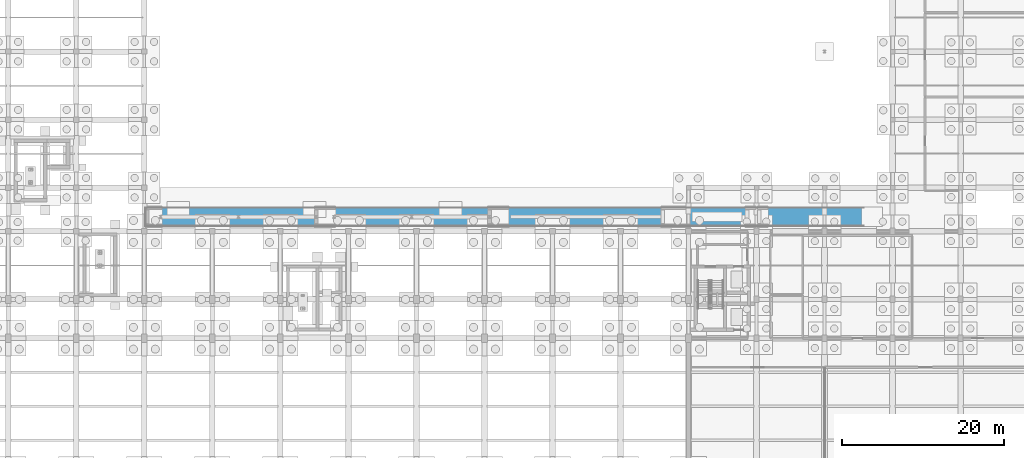
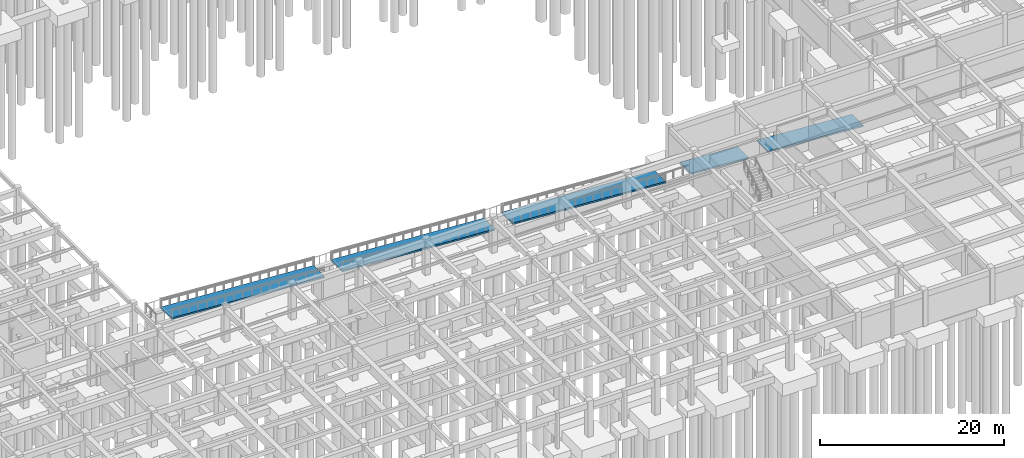
# One storey, part 43 of 49: 5 ramp flights, 1 element without a shape of its own.
"""IFC4 building model written with IfcOpenShell, lengths in metres."""

import ifcopenshell
import ifcopenshell.guid

model = None  # the IFC model being written
_history = None  # IfcOwnerHistory: only IFC2X3 demands one
_inside = {}  # id of a spatial element -> (the spatial element, [elements in it])
_under = {}  # id of a project, library or spatial element -> (it, [spatial elements below it])
_declared = {}  # id of a project -> (the project, [libraries it declares])
_typed = {}  # id of a type object -> (the type object, [elements of that type])
_made_of = {}  # id of a material, layer set ... -> (it, [elements and type objects made of it])


def new_model(schema):
    """Start an empty IFC model of exactly this schema.

    Asked for "IFC4X3", IfcOpenShell would pick the latest addendum, in which some entities
    have other attributes; the version numbers below select the first issue.
    IFC2X3 requires an IfcOwnerHistory on every rooted entity: one is made here for all.
    """
    global model, _history
    if schema == "IFC4X3":
        model = ifcopenshell.file(schema_version=(4, 3, 0, 0))
    else:
        model = ifcopenshell.file(schema=schema)
    _inside.clear()
    _under.clear()
    _declared.clear()
    _typed.clear()
    _made_of.clear()
    _history = None
    if model.schema == "IFC2X3":
        org = make("IfcOrganization", Name="unknown")
        user = make(
            "IfcPersonAndOrganization",
            ThePerson=make("IfcPerson", FamilyName="unknown"),
            TheOrganization=org,
        )
        app = make(
            "IfcApplication",
            ApplicationDeveloper=org,
            Version="unknown",
            ApplicationFullName="unknown",
            ApplicationIdentifier="unknown",
        )
        _history = make(
            "IfcOwnerHistory",
            OwningUser=user,
            OwningApplication=app,
            ChangeAction="ADDED",
            CreationDate=0,
        )
    return model


def make(cls, **values):
    """One entity of the class cls with the attributes given. An attribute that is None is left unset."""
    return model.create_entity(
        cls, **{name: value for name, value in values.items() if value is not None}
    )


def rooted(cls, **values):
    """An entity with a GlobalId (a new one), such as an element, a storey or a relation."""
    return make(cls, GlobalId=ifcopenshell.guid.new(), OwnerHistory=_history, **values)


def si_unit(unit_type, name, prefix=None):
    """IfcSIUnit, for example si_unit("LENGTHUNIT", "METRE", prefix="MILLI")."""
    return make("IfcSIUnit", UnitType=unit_type, Prefix=prefix, Name=name)


def assignment(units):
    """IfcUnitAssignment: the units of a project."""
    return None if units is None else make("IfcUnitAssignment", Units=units)


def point(xyz):
    """IfcCartesianPoint."""
    return None if xyz is None else make("IfcCartesianPoint", Coordinates=xyz)


def direction(xyz):
    """IfcDirection."""
    return None if xyz is None else make("IfcDirection", DirectionRatios=xyz)


def frame(location, z_axis=None, x_axis=None):
    """IfcAxis2Placement3D, a coordinate frame: its origin and axes. An axis left out is left unset."""
    return make(
        "IfcAxis2Placement3D",
        Location=point(location),
        Axis=direction(z_axis),
        RefDirection=direction(x_axis),
    )


def origin():
    """The frame at (0, 0, 0) with its axes left unset."""
    return frame((0.0, 0.0, 0.0))


def place(relative_to, where):
    """IfcLocalPlacement: puts the frame where relative to a parent placement (None: the world)."""
    return make(
        "IfcLocalPlacement", PlacementRelTo=relative_to, RelativePlacement=where
    )


def context(
    kind, dimensions, precision=None, world=None, true_north=None, identifier=None
):
    """IfcGeometricRepresentationContext, for example the 3D "Model" context."""
    return make(
        "IfcGeometricRepresentationContext",
        ContextIdentifier=identifier,
        ContextType=kind,
        CoordinateSpaceDimension=dimensions,
        Precision=precision,
        WorldCoordinateSystem=world,
        TrueNorth=true_north,
    )


def subcontext(parent, identifier, kind, view, scale=None):
    """IfcGeometricRepresentationSubContext, for example "Body" below "Model"."""
    return make(
        "IfcGeometricRepresentationSubContext",
        ContextIdentifier=identifier,
        ContextType=kind,
        ParentContext=parent,
        TargetScale=scale,
        TargetView=view,
    )


def project(units=None, contexts=None):
    """IfcProject with its units and contexts."""
    return rooted(
        "IfcProject",
        Name="project",
        RepresentationContexts=contexts,
        UnitsInContext=assignment(units),
    )


def spatial(cls, under=None, at=None, **own):
    """A site, building, storey or space (cls), placed at a placement, below another one or the project."""
    s = rooted(cls, ObjectPlacement=at, **own)
    if under is not None:
        _under.setdefault(under.id(), (under, []))[1].append(s)
    return s


def polyline(points):
    """IfcPolyline through the points."""
    return make("IfcPolyline", Points=[point(p) for p in points])


def outline(outer, holes=None, kind="AREA"):
    """IfcArbitraryClosedProfileDef: a profile drawn as a closed curve; with holes, ...WithVoids."""
    if holes is None:
        return make("IfcArbitraryClosedProfileDef", ProfileType=kind, OuterCurve=outer)
    return make(
        "IfcArbitraryProfileDefWithVoids",
        ProfileType=kind,
        OuterCurve=outer,
        InnerCurves=holes,
    )


def extrude(swept, where, along, depth):
    """IfcExtrudedAreaSolid: the profile swept, set in the frame where, extruded along a direction by depth."""
    return make(
        "IfcExtrudedAreaSolid",
        SweptArea=swept,
        Position=where,
        ExtrudedDirection=direction(along),
        Depth=depth,
    )


def shape(context_of_items, identifier, shape_type, items):
    """IfcShapeRepresentation: the items that make up one representation, for example the "Body"."""
    return make(
        "IfcShapeRepresentation",
        ContextOfItems=context_of_items,
        RepresentationIdentifier=identifier,
        RepresentationType=shape_type,
        Items=items,
    )


def material(Name=None, Category=None):
    """IfcMaterial."""
    return make("IfcMaterial", Name=Name, Category=Category)


def made_of(thing, what):
    """Note that an element or type object is made of a material, layer set ...; save() writes the relation."""
    if what is not None:
        _made_of.setdefault(what.id(), (what, []))[1].append(thing)
    return thing


def element(
    cls,
    number,
    at=None,
    inside=None,
    cuts=None,
    type_object=None,
    material=None,
    context=None,
    identifier="Body",
    shape_type=None,
    held_by="IfcProductDefinitionShape",
    body=None,
    shapes=None,
    **own,
):
    """One element of the class cls, such as IfcWall. Its Tag is "e" and its number.

    at: its placement. inside: the storey or other place that contains it. cuts: it is an
    opening in that element (IfcRelVoidsElement). A single representation is given by context,
    identifier, shape_type and body (its items); several are given by shapes. held_by: the class
    of the entity that holds the representations. save() writes the other relations.
    """
    e = rooted(cls, Tag="e%d" % number, ObjectPlacement=at, **own)
    if body is not None:
        shapes = [shape(context, identifier, shape_type, body)]
    if shapes is not None:
        e.Representation = make(held_by, Representations=shapes)
    if inside is not None:
        _inside.setdefault(inside.id(), (inside, []))[1].append(e)
    if cuts is not None:
        rooted(
            "IfcRelVoidsElement", RelatingBuildingElement=cuts, RelatedOpeningElement=e
        )
    if type_object is not None:
        _typed.setdefault(type_object.id(), (type_object, []))[1].append(e)
    return made_of(e, material)


def aggregate(whole, parts):
    """IfcRelAggregates: a whole, such as a stair, and the parts it consists of."""
    return rooted("IfcRelAggregates", RelatingObject=whole, RelatedObjects=parts)


def save(model, path):
    """Write the relations noted so far, then the file.

    IfcRelAggregates (storeys below a building ...), IfcRelContainedInSpatialStructure (elements
    in a storey), IfcRelDefinesByType, IfcRelAssociatesMaterial and IfcRelDeclares: one each for
    every whole, place, type object, material and project.
    """
    for whole, parts in _under.values():
        aggregate(whole, parts)
    for where, things in _inside.values():
        rooted(
            "IfcRelContainedInSpatialStructure",
            RelatedElements=things,
            RelatingStructure=where,
        )
    for kind, things in _typed.values():
        rooted("IfcRelDefinesByType", RelatedObjects=things, RelatingType=kind)
    for what, things in _made_of.values():
        rooted("IfcRelAssociatesMaterial", RelatedObjects=things, RelatingMaterial=what)
    for by, libraries in _declared.values():
        rooted("IfcRelDeclares", RelatingContext=by, RelatedDefinitions=libraries)
    model.write(path)


model = new_model("IFC4")

# Units and contexts
model_context = context("Model", 3, precision=1e-05, world=origin(), true_north=direction((0.0, 1.0)))
body_context = subcontext(model_context, "Body", "Model", "MODEL_VIEW")
ifc_project = project(units=[si_unit("LENGTHUNIT", "METRE"), si_unit("AREAUNIT", "SQUARE_METRE"), si_unit("VOLUMEUNIT", "CUBIC_METRE"), si_unit("PLANEANGLEUNIT", "RADIAN"), si_unit("MASSUNIT", "GRAM", prefix="KILO")], contexts=[model_context])

# Site, building, storey
site_placement = place(None, origin())
site = spatial("IfcSite", under=ifc_project, at=site_placement, CompositionType="ELEMENT")
building_placement = place(site_placement, origin())
building = spatial("IfcBuilding", under=site, at=building_placement, Name="Krzemoval Escarpment Law Courts", CompositionType="ELEMENT")
storey_placement = place(building_placement, frame((0.0, 0.0, -4.800048828125)))
storey = spatial("IfcBuildingStorey", under=building, at=storey_placement, Name="B1", CompositionType="ELEMENT", Elevation=-4.800048828125)

# Ramp, ramp flights
ramp_placement = place(storey_placement, frame((0.0, 0.0, 4.800048828125)))
ramp = element("IfcRamp", 1, at=ramp_placement, inside=storey, Name="Covered Escarpment Public Accessible Ramp RMP-01", PredefinedType="STRAIGHT_RUN_RAMP")
ifc_material = material(Name="Concrete C35/45", Category="concrete")
ramp_flight_1_placement = place(ramp_placement, origin())
ramp_flight_1 = element("IfcRampFlight", 2, at=ramp_flight_1_placement, material=ifc_material, Name="Ramp Flight RMP-01-F1", PredefinedType="STRAIGHT", context=body_context, shape_type="SweptSolid", body=[
    extrude(outline(polyline([(0.0, 0.0), (19.199951171875, -1.199951171875), (19.199951171875, -1.419921875), (0.0, -0.219970703125), (0.0, 0.0)])), frame((44.0, 38.39990234375, 0.0), z_axis=(0.0, -1.0, 0.0), x_axis=(1.0, 0.0, 0.0)), (0.0, 0.0, 1.0), 2.39990234375),
])
ramp_flight_2_placement = place(ramp_placement, origin())
ramp_flight_2 = element("IfcRampFlight", 3, at=ramp_flight_2_placement, material=ifc_material, Name="Ramp Flight RMP-01-F2", PredefinedType="STRAIGHT", context=body_context, shape_type="SweptSolid", body=[
    extrude(outline(polyline([(0.0, -1.199951171875), (19.199951171875, -2.39990234375), (19.199951171875, -2.6201171875), (0.0, -1.419921875), (0.0, -1.199951171875)])), frame((65.39990234375, 38.39990234375, 0.0), z_axis=(0.0, -1.0, 0.0), x_axis=(1.0, 0.0, 0.0)), (0.0, 0.0, 1.0), 2.39990234375),
])
ramp_flight_3_placement = place(ramp_placement, origin())
ramp_flight_3 = element("IfcRampFlight", 4, at=ramp_flight_3_placement, material=ifc_material, Name="Ramp Flight RMP-01-F3", PredefinedType="STRAIGHT", context=body_context, shape_type="SweptSolid", body=[
    extrude(outline(polyline([(0.0, -2.39990234375), (19.199951171875, -3.60009765625), (19.199951171875, -3.820068359375), (0.0, -2.6201171875), (0.0, -2.39990234375)])), frame((86.800048828125, 38.39990234375, 0.0), z_axis=(0.0, -1.0, 0.0), x_axis=(1.0, 0.0, 0.0)), (0.0, 0.0, 1.0), 2.39990234375),
])
ramp_flight_4_placement = place(ramp_placement, origin())
ramp_flight_4 = element("IfcRampFlight", 5, at=ramp_flight_4_placement, material=ifc_material, Name="Ramp Flight RMP-01-F4", PredefinedType="STRAIGHT", context=body_context, shape_type="SweptSolid", body=[
    extrude(outline(polyline([(0.0, -3.60009765625), (7.199951171875, -4.050048828125), (7.199951171875, -4.27001953125), (0.0, -3.820068359375), (0.0, -3.60009765625)])), frame((109.199951171875, 38.39990234375, 0.0), z_axis=(0.0, -1.0, 0.0), x_axis=(1.0, 0.0, 0.0)), (0.0, 0.0, 1.0), 2.39990234375),
])
ramp_flight_5_placement = place(ramp_placement, origin())
ramp_flight_5 = element("IfcRampFlight", 6, at=ramp_flight_5_placement, material=ifc_material, Name="Ramp Flight RMP-01-F5", PredefinedType="STRAIGHT", context=body_context, shape_type="SweptSolid", body=[
    extrude(outline(polyline([(0.0, -4.050048828125), (12.0, -4.800048828125), (12.0, -5.02001953125), (0.0, -4.27001953125), (0.0, -4.050048828125)])), frame((118.800048828125, 38.39990234375, 0.0), z_axis=(0.0, -1.0, 0.0), x_axis=(1.0, 0.0, 0.0)), (0.0, 0.0, 1.0), 2.39990234375),
])
aggregate(ramp, [ramp_flight_1, ramp_flight_2, ramp_flight_3, ramp_flight_4, ramp_flight_5])

save(model, "model.ifc")
